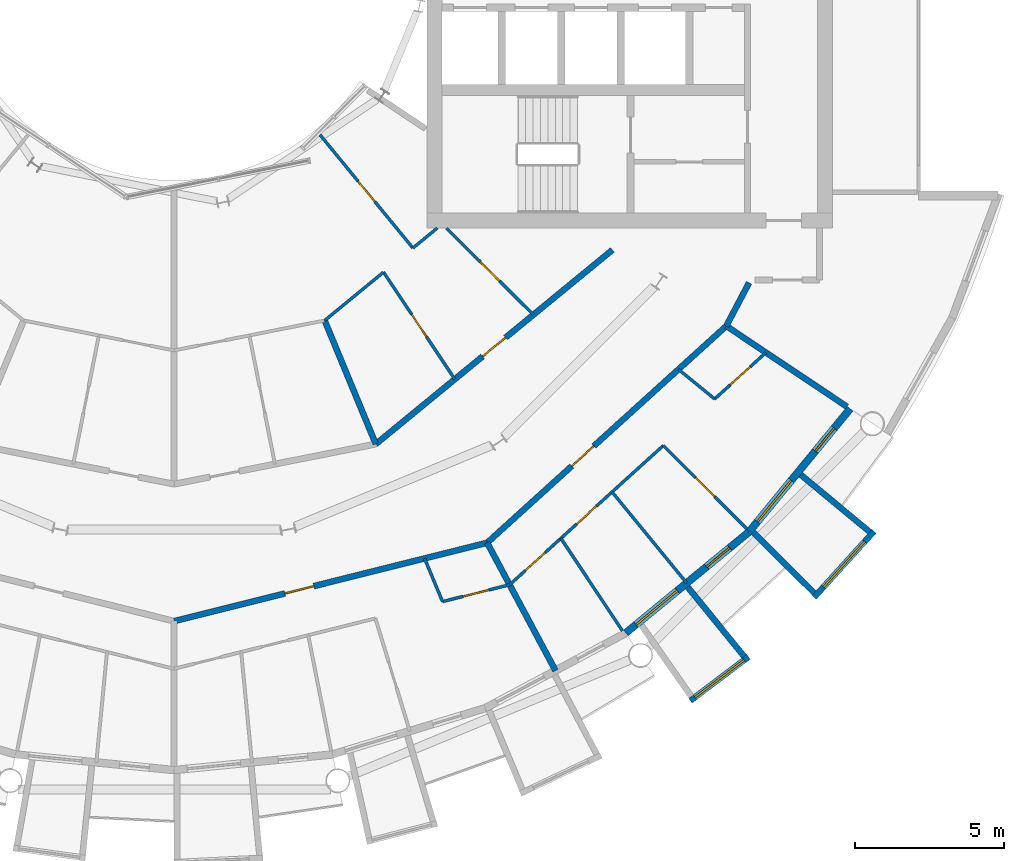
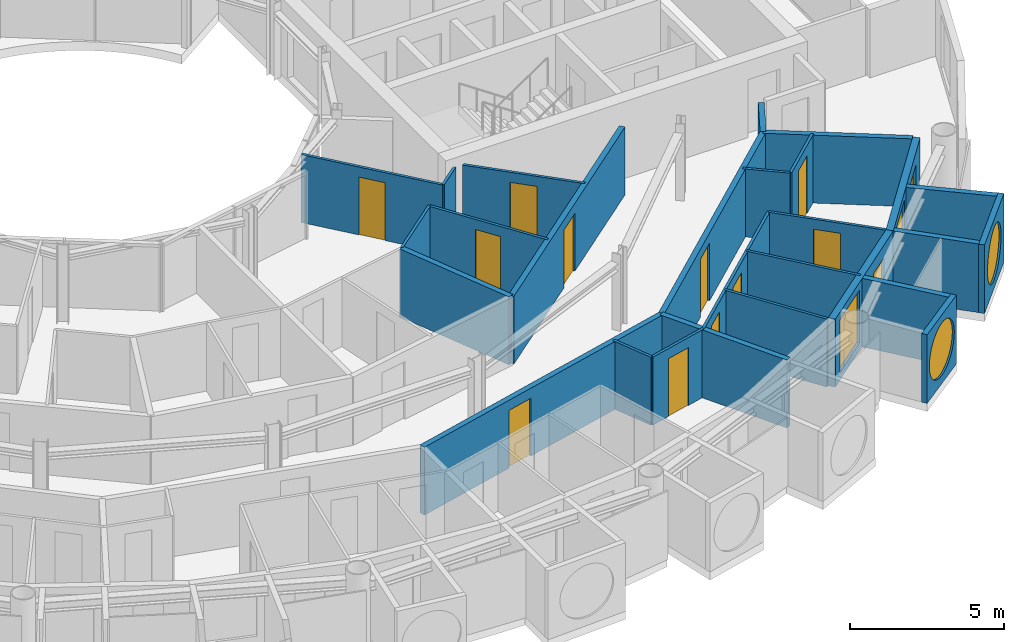
# One storey, part 17 of 27: 27 walls, 13 doors, 4 windows, 17 openings.
"""IFC4 building model written with IfcOpenShell, lengths in metres."""

from ifc_helpers import new_model, si_unit, direction, frame, frame_2d, origin, place, context, subcontext, project, spatial, rectangle, circle, extrude, material, layer, layer_set, type_object, element, fill, save


model = new_model("IFC4")

# Units and contexts
model_context = context("Model", 3, precision=1e-05, world=origin(), true_north=direction((0.0, 1.0)))
body_context = subcontext(model_context, "Body", "Model", "MODEL_VIEW")
ifc_project = project(units=[si_unit("LENGTHUNIT", "METRE"), si_unit("AREAUNIT", "SQUARE_METRE"), si_unit("VOLUMEUNIT", "CUBIC_METRE"), si_unit("PLANEANGLEUNIT", "RADIAN"), si_unit("MASSUNIT", "GRAM", prefix="KILO")], contexts=[model_context])

# Site, building, storey
site_placement = place(None, origin())
site = spatial("IfcSite", under=ifc_project, at=site_placement, CompositionType="ELEMENT")
building_placement = place(site_placement, origin())
building = spatial("IfcBuilding", under=site, at=building_placement, Name="Maasbend Ring Residences", CompositionType="ELEMENT")
storey_placement = place(building_placement, frame((0.0, 0.0, 164.64990234375)))
storey = spatial("IfcBuildingStorey", under=building, at=storey_placement, Name="L47", CompositionType="ELEMENT", Elevation=164.64990234375)

# Wall
ifc_material_1 = material(Name="Concrete C30/37", Category="concrete")
ifc_layer_1 = layer(ifc_material_1, 0.199951171875)
ifc_layer_set_1 = layer_set([ifc_layer_1], Name="Concrete C30/37")
wall_type_1 = type_object("IfcWallType", Name="CORRIDOR WALL 200 CONCRETE", PredefinedType="PARTITIONING", material=ifc_layer_set_1)
wall_1_placement = place(storey_placement, frame((18.5419921875, -12.388916015625, 0.0), z_axis=(0.0, 0.0, 1.0), x_axis=(0.465605550524, 0.884992356646, 0.0)))
element("IfcWall", 1, at=wall_1_placement, inside=storey, type_object=wall_type_1, Name="U-L47-w010", PredefinedType="PARTITIONING", context=body_context, shape_type="SweptSolid", body=[
    extrude(rectangle(XDim=1.642822265625, YDim=0.199951171875, at=frame_2d((0.8212890625, 0.0))), origin(), (0.0, 0.0, 1.0), 2.7001953125),
])

# Wall, opening, door
wall_2_placement = place(storey_placement, frame((0.0, -22.300048828125, 0.0), z_axis=(0.0, 0.0, 1.0), x_axis=(0.970023181991, 0.243012399685, 0.0)))
wall_2 = element("IfcWall", 2, at=wall_2_placement, inside=storey, type_object=wall_type_1, Name="U-L47-w015", PredefinedType="PARTITIONING", context=body_context, shape_type="SweptSolid", body=[
    extrude(rectangle(XDim=10.843017578125, YDim=0.199951171875, at=frame_2d((5.42138671875, 0.0))), origin(), (0.0, 0.0, 1.0), 2.7001953125),
])
opening_1_placement = place(wall_2_placement, frame((3.8349609375, 0.0, 0.0)))
opening_1 = element("IfcOpeningElement", 3, at=opening_1_placement, cuts=wall_2, Name="Opening D-4742", PredefinedType="OPENING", context=body_context, shape_type="SweptSolid", body=[
    extrude(rectangle(XDim=1.0, YDim=2.300048828125, at=frame_2d((0.5, 1.14990234375))), frame((0.0, 0.10986328125, 0.0), z_axis=(0.0, -1.0, 0.0), x_axis=(1.0, 0.0, 0.0)), (0.0, 0.0, 1.0), 0.219970703125),
])
ifc_material_2 = material(Name="Timber, fire-rated, painted", Category="wood")
door_type_1 = type_object("IfcDoorType", Name="FLAT ENTRANCE DOOR 1000 X 2300 FIRE-RATED", OperationType="NOTDEFINED", PredefinedType="DOOR", material=ifc_material_2)
door_1_placement = place(opening_1_placement, origin())
door_1 = element("IfcDoor", 4, at=door_1_placement, inside=storey, type_object=door_type_1, Name="D-4742", OperationType="SINGLE_SWING_LEFT", OverallHeight=2.300048828125, OverallWidth=1.0, PredefinedType="DOOR", context=body_context, shape_type="SweptSolid", body=[
    extrude(rectangle(XDim=1.0, YDim=2.300048828125, at=frame_2d((0.5, 1.14990234375))), frame((0.0, 0.02490234375, 0.0), z_axis=(0.0, -1.0, 0.0), x_axis=(1.0, 0.0, 0.0)), (0.0, 0.0, 1.0), 0.050048828125),
])
fill(opening_1, door_1)

wall_3_placement = place(storey_placement, frame((10.511962890625, -19.6669921875, 0.0), z_axis=(0.0, 0.0, 1.0), x_axis=(0.740947367223, 0.671563101283, 0.0)))
wall_3 = element("IfcWall", 5, at=wall_3_placement, inside=storey, type_object=wall_type_1, Name="U-L47-w016", PredefinedType="PARTITIONING", context=body_context, shape_type="SweptSolid", body=[
    extrude(rectangle(XDim=10.83740234375, YDim=0.199951171875, at=frame_2d((5.418701171875, 0.0))), origin(), (0.0, 0.0, 1.0), 2.7001953125),
])
opening_2_placement = place(wall_3_placement, frame((3.8349609375, 0.0, 0.0)))
opening_2 = element("IfcOpeningElement", 6, at=opening_2_placement, cuts=wall_3, Name="Opening D-4747", PredefinedType="OPENING", context=body_context, shape_type="SweptSolid", body=[
    extrude(rectangle(XDim=1.0, YDim=2.300048828125, at=frame_2d((0.5, 1.14990234375))), frame((0.0, 0.10986328125, 0.0), z_axis=(0.0, -1.0, 0.0), x_axis=(1.0, 0.0, 0.0)), (0.0, 0.0, 1.0), 0.219970703125),
])
door_2_placement = place(opening_2_placement, origin())
door_2 = element("IfcDoor", 7, at=door_2_placement, inside=storey, type_object=door_type_1, Name="D-4747", OperationType="SINGLE_SWING_LEFT", OverallHeight=2.300048828125, OverallWidth=1.0, PredefinedType="DOOR", context=body_context, shape_type="SweptSolid", body=[
    extrude(rectangle(XDim=1.0, YDim=2.300048828125, at=frame_2d((0.5, 1.14990234375))), frame((0.0, 0.02490234375, 0.0), z_axis=(0.0, -1.0, 0.0), x_axis=(1.0, 0.0, 0.0)), (0.0, 0.0, 1.0), 0.050048828125),
])
fill(opening_2, door_2)

wall_4_placement = place(storey_placement, frame((6.77294921875, -16.35302734375, 0.0), z_axis=(0.0, 0.0, 1.0), x_axis=(0.773034536097, 0.634363938131, 0.0)))
wall_4 = element("IfcWall", 8, at=wall_4_placement, inside=storey, type_object=wall_type_1, Name="U-L47-w020", PredefinedType="PARTITIONING", context=body_context, shape_type="SweptSolid", body=[
    extrude(rectangle(XDim=10.276611328125, YDim=0.199951171875, at=frame_2d((5.13818359375, 0.0))), origin(), (0.0, 0.0, 1.0), 2.7001953125),
])
opening_3_placement = place(wall_4_placement, frame((4.637939453125, 0.0, 0.0)))
opening_3 = element("IfcOpeningElement", 9, at=opening_3_placement, cuts=wall_4, Name="Opening D-4762", PredefinedType="OPENING", context=body_context, shape_type="SweptSolid", body=[
    extrude(rectangle(XDim=1.0, YDim=2.300048828125, at=frame_2d((0.5, 1.14990234375))), frame((0.0, 0.10986328125, 0.0), z_axis=(0.0, -1.0, 0.0), x_axis=(1.0, 0.0, 0.0)), (0.0, 0.0, 1.0), 0.219970703125),
])
door_3_placement = place(opening_3_placement, origin())
door_3 = element("IfcDoor", 10, at=door_3_placement, inside=storey, type_object=door_type_1, Name="D-4762", OperationType="SINGLE_SWING_RIGHT", OverallHeight=2.300048828125, OverallWidth=1.0, PredefinedType="DOOR", context=body_context, shape_type="SweptSolid", body=[
    extrude(rectangle(XDim=1.0, YDim=2.300048828125, at=frame_2d((0.5, 1.14990234375))), frame((0.0, 0.02490234375, 0.0), z_axis=(0.0, -1.0, 0.0), x_axis=(1.0, 0.0, 0.0)), (0.0, 0.0, 1.0), 0.050048828125),
])
fill(opening_3, door_3)

# Wall, opening, window
ifc_material_3 = material(Name="Pale anodised aluminium panel", Category="aluminium")
ifc_layer_2 = layer(ifc_material_3, 0.199951171875)
ifc_layer_set_2 = layer_set([ifc_layer_2], Name="EW-BOX")
wall_type_2 = type_object("IfcWallType", Name="EW-BOX", PredefinedType="SOLIDWALL", material=ifc_layer_set_2)
wall_5_placement = place(storey_placement, frame((17.3369140625, -24.971923828125, -0.02978515625), z_axis=(0.0, 0.0, 1.0), x_axis=(0.797887588059, 0.602806268067, 0.0)))
wall_5 = element("IfcWall", 11, at=wall_5_placement, inside=storey, type_object=wall_type_2, Name="Box front S17", PredefinedType="SOLIDWALL", context=body_context, shape_type="SweptSolid", body=[
    extrude(rectangle(XDim=2.446533203125, YDim=0.199951171875, at=frame_2d((1.22314453125, 0.0))), origin(), (0.0, 0.0, 1.0), 2.72998046875),
])
opening_4_placement = place(wall_5_placement, frame((0.182861328125, 0.0, 0.330078125)))
opening_4 = element("IfcOpeningElement", 12, at=opening_4_placement, cuts=wall_5, Name="Opening W-RD", PredefinedType="OPENING", context=body_context, shape_type="SweptSolid", body=[
    extrude(circle(Radius=1.0400390625, at=frame_2d((1.0400390625, 1.0400390625))), frame((0.0, 0.10986328125, 0.0), z_axis=(0.0, -1.0, 0.0), x_axis=(1.0, 0.0, 0.0)), (0.0, 0.0, 1.0), 0.219970703125),
])
ifc_material_4 = material(Name="Aluminium and clear glass", Category="aluminium")
window_type_1 = type_object("IfcWindowType", Name="W-RD", PartitioningType="SINGLE_PANEL", PredefinedType="WINDOW", material=ifc_material_4)
window_1_placement = place(opening_4_placement, origin())
window_1 = element("IfcWindow", 13, at=window_1_placement, inside=storey, type_object=window_type_1, Name="Round window S17", OverallHeight=2.080078125, OverallWidth=2.080078125, PartitioningType="SINGLE_PANEL", PredefinedType="WINDOW", context=body_context, shape_type="SweptSolid", body=[
    extrude(circle(Radius=1.0400390625, at=frame_2d((1.0400390625, 1.0400390625))), frame((0.0, 0.030029296875, 0.0), z_axis=(0.0, -1.0, 0.0), x_axis=(1.0, 0.0, 0.0)), (0.0, 0.0, 1.0), 0.06005859375),
])
fill(opening_4, window_1)

# Wall
wall_6_placement = place(storey_placement, frame((17.24609375, -21.155029296875, -0.02978515625), z_axis=(0.0, 0.0, 1.0), x_axis=(0.631741648902, -0.775179004516, 0.0)))
element("IfcWall", 14, at=wall_6_placement, inside=storey, type_object=wall_type_2, Name="Box side wall S17 right", PredefinedType="SOLIDWALL", context=body_context, shape_type="SweptSolid", body=[
    extrude(rectangle(XDim=3.005859375, YDim=0.199951171875, at=frame_2d((1.5029296875, 0.0))), origin(), (0.0, 0.0, 1.0), 2.72998046875),
])

# Wall, opening, window
wall_7_placement = place(storey_placement, frame((21.492919921875, -21.5, -0.02978515625), z_axis=(0.0, 0.0, 1.0), x_axis=(0.671506829416, 0.740998365753, 0.0)))
wall_7 = element("IfcWall", 15, at=wall_7_placement, inside=storey, type_object=wall_type_2, Name="Box front S19", PredefinedType="SOLIDWALL", context=body_context, shape_type="SweptSolid", body=[
    extrude(rectangle(XDim=2.9931640625, YDim=0.199951171875, at=frame_2d((1.49658203125, 0.0))), origin(), (0.0, 0.0, 1.0), 2.72998046875),
])
opening_5_placement = place(wall_7_placement, frame((0.45654296875, 0.0, 0.330078125)))
opening_5 = element("IfcOpeningElement", 16, at=opening_5_placement, cuts=wall_7, Name="Opening W-RD", PredefinedType="OPENING", context=body_context, shape_type="SweptSolid", body=[
    extrude(circle(Radius=1.0400390625, at=frame_2d((1.0400390625, 1.0400390625))), frame((0.0, 0.10986328125, 0.0), z_axis=(0.0, -1.0, 0.0), x_axis=(1.0, 0.0, 0.0)), (0.0, 0.0, 1.0), 0.219970703125),
])
window_2_placement = place(opening_5_placement, origin())
window_2 = element("IfcWindow", 17, at=window_2_placement, inside=storey, type_object=window_type_1, Name="Round window S19", OverallHeight=2.080078125, OverallWidth=2.080078125, PartitioningType="SINGLE_PANEL", PredefinedType="WINDOW", context=body_context, shape_type="SweptSolid", body=[
    extrude(circle(Radius=1.0400390625, at=frame_2d((1.0400390625, 1.0400390625))), frame((0.0, 0.030029296875, 0.0), z_axis=(0.0, -1.0, 0.0), x_axis=(1.0, 0.0, 0.0)), (0.0, 0.0, 1.0), 0.06005859375),
])
fill(opening_5, window_2)

# Walls
wall_8_placement = place(storey_placement, frame((19.449951171875, -19.322998046875, -0.02978515625), z_axis=(0.0, 0.0, 1.0), x_axis=(0.709727076896, -0.704476739375, 0.0)))
element("IfcWall", 18, at=wall_8_placement, inside=storey, type_object=wall_type_2, Name="Box side wall S19 left", PredefinedType="SOLIDWALL", context=body_context, shape_type="SweptSolid", body=[
    extrude(rectangle(XDim=2.883056640625, YDim=0.199951171875, at=frame_2d((1.44140625, 0.0))), origin(), (0.0, 0.0, 1.0), 2.72998046875),
])
wall_9_placement = place(storey_placement, frame((21.041015625, -17.384033203125, -0.02978515625), z_axis=(0.0, 0.0, 1.0), x_axis=(0.770784861449, -0.63709551667, 0.0)))
element("IfcWall", 19, at=wall_9_placement, inside=storey, type_object=wall_type_2, Name="Box side wall S19 right", PredefinedType="SOLIDWALL", context=body_context, shape_type="SweptSolid", body=[
    extrude(rectangle(XDim=3.005859375, YDim=0.199951171875, at=frame_2d((1.5029296875, 0.0))), origin(), (0.0, 0.0, 1.0), 2.72998046875),
])

# Wall, openings, door, window
ifc_material_5 = material(Name="Aluminium clad insulated panel", Category="aluminium")
ifc_layer_3 = layer(ifc_material_5, 0.25)
ifc_layer_set_3 = layer_set([ifc_layer_3], Name="EW-GL")
wall_type_3 = type_object("IfcWallType", Name="EW-GL", PredefinedType="SOLIDWALL", material=ifc_layer_set_3)
wall_10_placement = place(storey_placement, frame((15.1669921875, -22.698974609375, 0.0), z_axis=(0.0, 0.0, 1.0), x_axis=(0.773019449054, 0.634382322723, 0.0)))
wall_10 = element("IfcWall", 20, at=wall_10_placement, inside=storey, type_object=wall_type_3, Name="External wall S09", PredefinedType="SOLIDWALL", context=body_context, shape_type="SweptSolid", body=[
    extrude(rectangle(XDim=5.351806640625, YDim=0.25, at=frame_2d((2.67578125, 0.0))), origin(), (0.0, 0.0, 1.0), 2.7001953125),
])
opening_6_placement = place(wall_10_placement, frame((0.441162109375, 0.0, 0.300048828125)))
opening_6 = element("IfcOpeningElement", 21, at=opening_6_placement, cuts=wall_10, Name="Opening W-BX", PredefinedType="OPENING", context=body_context, shape_type="SweptSolid", body=[
    extrude(rectangle(XDim=1.800048828125, YDim=2.10009765625, at=frame_2d((0.89990234375, 1.050048828125))), frame((0.0, 0.135009765625, 0.0), z_axis=(0.0, -1.0, 0.0), x_axis=(1.0, 0.0, 0.0)), (0.0, 0.0, 1.0), 0.27001953125),
])
opening_7_placement = place(wall_10_placement, frame((3.510498046875, 0.0, 0.0)))
opening_7 = element("IfcOpeningElement", 22, at=opening_7_placement, cuts=wall_10, Name="Opening D-LG", PredefinedType="OPENING", context=body_context, shape_type="SweptSolid", body=[
    extrude(rectangle(XDim=1.0, YDim=2.199951171875, at=frame_2d((0.5, 1.10009765625))), frame((0.0, 0.135009765625, 0.0), z_axis=(0.0, -1.0, 0.0), x_axis=(1.0, 0.0, 0.0)), (0.0, 0.0, 1.0), 0.27001953125),
])
ifc_material_6 = material(Name="Aluminium and clear glass", Category="aluminium")
door_type_2 = type_object("IfcDoorType", Name="D-LG", OperationType="SINGLE_SWING_LEFT", PredefinedType="DOOR", material=ifc_material_6)
door_4_placement = place(opening_7_placement, origin())
door_4 = element("IfcDoor", 23, at=door_4_placement, inside=storey, type_object=door_type_2, Name="Loggia door S18", OperationType="SINGLE_SWING_LEFT", OverallHeight=2.199951171875, OverallWidth=1.0, PredefinedType="DOOR", context=body_context, shape_type="SweptSolid", body=[
    extrude(rectangle(XDim=1.0, YDim=2.199951171875, at=frame_2d((0.5, 1.10009765625))), frame((0.0, 0.02490234375, 0.0), z_axis=(0.0, -1.0, 0.0), x_axis=(1.0, 0.0, 0.0)), (0.0, 0.0, 1.0), 0.050048828125),
])
fill(opening_7, door_4)
ifc_material_7 = material(Name="Aluminium and clear glass", Category="aluminium")
window_type_2 = type_object("IfcWindowType", Name="W-BX", PartitioningType="DOUBLE_PANEL_VERTICAL", PredefinedType="WINDOW", material=ifc_material_7)
window_3_placement = place(opening_6_placement, origin())
window_3 = element("IfcWindow", 24, at=window_3_placement, inside=storey, type_object=window_type_2, Name="Window S17 room to box", OverallHeight=2.10009765625, OverallWidth=1.800048828125, PartitioningType="SINGLE_PANEL", PredefinedType="WINDOW", context=body_context, shape_type="SweptSolid", body=[
    extrude(rectangle(XDim=1.800048828125, YDim=2.10009765625, at=frame_2d((0.89990234375, 1.050048828125))), frame((0.0, 0.030029296875, 0.0), z_axis=(0.0, -1.0, 0.0), x_axis=(1.0, 0.0, 0.0)), (0.0, 0.0, 1.0), 0.06005859375),
])
fill(opening_6, window_3)

wall_11_placement = place(storey_placement, frame((19.303955078125, -19.303955078125, 0.0), z_axis=(0.0, 0.0, 1.0), x_axis=(0.634382322723, 0.773019449054, 0.0)))
wall_11 = element("IfcWall", 25, at=wall_11_placement, inside=storey, type_object=wall_type_3, Name="External wall S10", PredefinedType="SOLIDWALL", context=body_context, shape_type="SweptSolid", body=[
    extrude(rectangle(XDim=5.351806640625, YDim=0.25, at=frame_2d((2.67578125, 0.0))), origin(), (0.0, 0.0, 1.0), 2.7001953125),
])
opening_8_placement = place(wall_11_placement, frame((0.441162109375, 0.0, 0.300048828125)))
opening_8 = element("IfcOpeningElement", 26, at=opening_8_placement, cuts=wall_11, Name="Opening W-BX", PredefinedType="OPENING", context=body_context, shape_type="SweptSolid", body=[
    extrude(rectangle(XDim=1.800048828125, YDim=2.10009765625, at=frame_2d((0.89990234375, 1.050048828125))), frame((0.0, 0.135009765625, 0.0), z_axis=(0.0, -1.0, 0.0), x_axis=(1.0, 0.0, 0.0)), (0.0, 0.0, 1.0), 0.27001953125),
])
opening_9_placement = place(wall_11_placement, frame((3.510498046875, 0.0, 0.0)))
opening_9 = element("IfcOpeningElement", 27, at=opening_9_placement, cuts=wall_11, Name="Opening D-LG", PredefinedType="OPENING", context=body_context, shape_type="SweptSolid", body=[
    extrude(rectangle(XDim=1.0, YDim=2.199951171875, at=frame_2d((0.5, 1.10009765625))), frame((0.0, 0.135009765625, 0.0), z_axis=(0.0, -1.0, 0.0), x_axis=(1.0, 0.0, 0.0)), (0.0, 0.0, 1.0), 0.27001953125),
])
door_5_placement = place(opening_9_placement, origin())
door_5 = element("IfcDoor", 28, at=door_5_placement, inside=storey, type_object=door_type_2, Name="Loggia door S20", OperationType="SINGLE_SWING_LEFT", OverallHeight=2.199951171875, OverallWidth=1.0, PredefinedType="DOOR", context=body_context, shape_type="SweptSolid", body=[
    extrude(rectangle(XDim=1.0, YDim=2.199951171875, at=frame_2d((0.5, 1.10009765625))), frame((0.0, 0.02490234375, 0.0), z_axis=(0.0, -1.0, 0.0), x_axis=(1.0, 0.0, 0.0)), (0.0, 0.0, 1.0), 0.050048828125),
])
fill(opening_9, door_5)
window_4_placement = place(opening_8_placement, origin())
window_4 = element("IfcWindow", 29, at=window_4_placement, inside=storey, type_object=window_type_2, Name="Window S19 room to box", OverallHeight=2.10009765625, OverallWidth=1.800048828125, PartitioningType="SINGLE_PANEL", PredefinedType="WINDOW", context=body_context, shape_type="SweptSolid", body=[
    extrude(rectangle(XDim=1.800048828125, YDim=2.10009765625, at=frame_2d((0.89990234375, 1.050048828125))), frame((0.0, 0.030029296875, 0.0), z_axis=(0.0, -1.0, 0.0), x_axis=(1.0, 0.0, 0.0)), (0.0, 0.0, 1.0), 0.06005859375),
])
fill(opening_8, window_4)

# Wall, opening, door
ifc_material_8 = material(Name="Gypsum board on steel studs", Category="steel")
ifc_layer_4 = layer(ifc_material_8, 0.10009765625)
ifc_layer_set_4 = layer_set([ifc_layer_4], Name="PARTITION 100 GYPSUM")
wall_type_4 = type_object("IfcWallType", Name="PARTITION 100 GYPSUM", PredefinedType="PARTITIONING", material=ifc_layer_set_4)
wall_12_placement = place(storey_placement, frame((9.011962890625, -21.64306640625, 0.0), z_axis=(0.0, 0.0, 1.0), x_axis=(0.970025067561, 0.243004873001, 0.0)))
wall_12 = element("IfcWall", 30, at=wall_12_placement, inside=storey, type_object=wall_type_4, Name="U-L47-w006", PredefinedType="PARTITIONING", context=body_context, shape_type="SweptSolid", body=[
    extrude(rectangle(XDim=2.325927734375, YDim=0.10009765625, at=frame_2d((1.1630859375, 0.0))), origin(), (0.0, 0.0, 1.0), 2.7001953125),
])
opening_10_placement = place(wall_12_placement, frame((0.7099609375, 0.0, 0.0)))
opening_10 = element("IfcOpeningElement", 31, at=opening_10_placement, cuts=wall_12, Name="Opening D-4743", PredefinedType="OPENING", context=body_context, shape_type="SweptSolid", body=[
    extrude(rectangle(XDim=0.89990234375, YDim=2.300048828125, at=frame_2d((0.449951171875, 1.14990234375))), frame((0.0, 0.06005859375, 0.0), z_axis=(0.0, -1.0, 0.0), x_axis=(1.0, 0.0, 0.0)), (0.0, 0.0, 1.0), 0.1201171875),
])
ifc_material_9 = material(Name="Timber, painted", Category="wood")
door_type_3 = type_object("IfcDoorType", Name="INTERNAL DOOR 900 X 2300", OperationType="NOTDEFINED", PredefinedType="DOOR", material=ifc_material_9)
door_6_placement = place(opening_10_placement, origin())
door_6 = element("IfcDoor", 32, at=door_6_placement, inside=storey, type_object=door_type_3, Name="D-4743", OperationType="SINGLE_SWING_LEFT", OverallHeight=2.300048828125, OverallWidth=0.89990234375, PredefinedType="DOOR", context=body_context, shape_type="SweptSolid", body=[
    extrude(rectangle(XDim=0.89990234375, YDim=2.300048828125, at=frame_2d((0.449951171875, 1.14990234375))), frame((0.0, 0.02490234375, 0.0), z_axis=(0.0, -1.0, 0.0), x_axis=(1.0, 0.0, 0.0)), (0.0, 0.0, 1.0), 0.050048828125),
])
fill(opening_10, door_6)

# Wall, openings, doors
wall_13_placement = place(storey_placement, frame((11.26611328125, -21.077880859375, 0.0), z_axis=(0.0, 0.0, 1.0), x_axis=(0.74114118713, 0.671349194339, 0.0)))
wall_13 = element("IfcWall", 33, at=wall_13_placement, inside=storey, type_object=wall_type_4, Name="U-L47-w007", PredefinedType="PARTITIONING", context=body_context, shape_type="SweptSolid", body=[
    extrude(rectangle(XDim=6.96484375, YDim=0.10009765625, at=frame_2d((3.482421875, 0.0))), origin(), (0.0, 0.0, 1.0), 2.7001953125),
])
opening_11_placement = place(wall_13_placement, frame((3.033935546875, 0.0, 0.0)))
opening_11 = element("IfcOpeningElement", 34, at=opening_11_placement, cuts=wall_13, Name="Opening D-4750", PredefinedType="OPENING", context=body_context, shape_type="SweptSolid", body=[
    extrude(rectangle(XDim=0.89990234375, YDim=2.300048828125, at=frame_2d((0.449951171875, 1.14990234375))), frame((0.0, 0.06005859375, 0.0), z_axis=(0.0, -1.0, 0.0), x_axis=(1.0, 0.0, 0.0)), (0.0, 0.0, 1.0), 0.1201171875),
])
opening_12_placement = place(wall_13_placement, frame((0.7119140625, 0.0, 0.0)))
opening_12 = element("IfcOpeningElement", 35, at=opening_12_placement, cuts=wall_13, Name="Opening D-4751", PredefinedType="OPENING", context=body_context, shape_type="SweptSolid", body=[
    extrude(rectangle(XDim=0.89990234375, YDim=2.300048828125, at=frame_2d((0.449951171875, 1.14990234375))), frame((0.0, 0.06005859375, 0.0), z_axis=(0.0, -1.0, 0.0), x_axis=(1.0, 0.0, 0.0)), (0.0, 0.0, 1.0), 0.1201171875),
])
door_7_placement = place(opening_11_placement, origin())
door_7 = element("IfcDoor", 36, at=door_7_placement, inside=storey, type_object=door_type_3, Name="D-4750", OperationType="SINGLE_SWING_RIGHT", OverallHeight=2.300048828125, OverallWidth=0.89990234375, PredefinedType="DOOR", context=body_context, shape_type="SweptSolid", body=[
    extrude(rectangle(XDim=0.89990234375, YDim=2.300048828125, at=frame_2d((0.449951171875, 1.14990234375))), frame((0.0, 0.02490234375, 0.0), z_axis=(0.0, -1.0, 0.0), x_axis=(1.0, 0.0, 0.0)), (0.0, 0.0, 1.0), 0.050048828125),
])
fill(opening_11, door_7)
door_8_placement = place(opening_12_placement, origin())
door_8 = element("IfcDoor", 37, at=door_8_placement, inside=storey, type_object=door_type_3, Name="D-4751", OperationType="SINGLE_SWING_LEFT", OverallHeight=2.300048828125, OverallWidth=0.89990234375, PredefinedType="DOOR", context=body_context, shape_type="SweptSolid", body=[
    extrude(rectangle(XDim=0.89990234375, YDim=2.300048828125, at=frame_2d((0.449951171875, 1.14990234375))), frame((0.0, 0.02490234375, 0.0), z_axis=(0.0, -1.0, 0.0), x_axis=(1.0, 0.0, 0.0)), (0.0, 0.0, 1.0), 0.050048828125),
])
fill(opening_12, door_8)

# Wall, opening, door
wall_14_placement = place(storey_placement, frame((18.14697265625, -14.843994140625, 0.0), z_axis=(0.0, 0.0, 1.0), x_axis=(0.741080073381, 0.671416655169, 0.0)))
wall_14 = element("IfcWall", 38, at=wall_14_placement, inside=storey, type_object=wall_type_4, Name="U-L47-w008", PredefinedType="PARTITIONING", context=body_context, shape_type="SweptSolid", body=[
    extrude(rectangle(XDim=2.323486328125, YDim=0.10009765625, at=frame_2d((1.16162109375, 0.0))), origin(), (0.0, 0.0, 1.0), 2.7001953125),
])
opening_13_placement = place(wall_14_placement, frame((0.718017578125, 0.0, 0.0)))
opening_13 = element("IfcOpeningElement", 39, at=opening_13_placement, cuts=wall_14, Name="Opening D-4748", PredefinedType="OPENING", context=body_context, shape_type="SweptSolid", body=[
    extrude(rectangle(XDim=0.89990234375, YDim=2.300048828125, at=frame_2d((0.449951171875, 1.14990234375))), frame((0.0, 0.06005859375, 0.0), z_axis=(0.0, -1.0, 0.0), x_axis=(1.0, 0.0, 0.0)), (0.0, 0.0, 1.0), 0.1201171875),
])
door_9_placement = place(opening_13_placement, origin())
door_9 = element("IfcDoor", 40, at=door_9_placement, inside=storey, type_object=door_type_3, Name="D-4748", OperationType="SINGLE_SWING_RIGHT", OverallHeight=2.300048828125, OverallWidth=0.89990234375, PredefinedType="DOOR", context=body_context, shape_type="SweptSolid", body=[
    extrude(rectangle(XDim=0.89990234375, YDim=2.300048828125, at=frame_2d((0.449951171875, 1.14990234375))), frame((0.0, 0.02490234375, 0.0), z_axis=(0.0, -1.0, 0.0), x_axis=(1.0, 0.0, 0.0)), (0.0, 0.0, 1.0), 0.050048828125),
])
fill(opening_13, door_9)

# Walls
wall_15_placement = place(storey_placement, frame((5.054931640625, -12.2041015625, 0.0), z_axis=(0.0, 0.0, 1.0), x_axis=(0.772943675046, 0.634474645046, 0.0)))
element("IfcWall", 41, at=wall_15_placement, inside=storey, type_object=wall_type_4, Name="U-L47-w025", PredefinedType="PARTITIONING", context=body_context, shape_type="SweptSolid", body=[
    extrude(rectangle(XDim=2.556640625, YDim=0.10009765625, at=frame_2d((1.2783203125, 0.0))), origin(), (0.0, 0.0, 1.0), 2.7001953125),
])
wall_16_placement = place(storey_placement, frame((8.01611328125, -9.77294921875, 0.0), z_axis=(0.0, 0.0, 1.0), x_axis=(0.7731800648, 0.634186555673, 0.0)))
element("IfcWall", 42, at=wall_16_placement, inside=storey, type_object=wall_type_4, Name="U-L47-w026", PredefinedType="PARTITIONING", context=body_context, shape_type="SweptSolid", body=[
    extrude(rectangle(XDim=1.064453125, YDim=0.10009765625, at=frame_2d((0.5322265625, 0.0))), origin(), (0.0, 0.0, 1.0), 2.7001953125),
])

# Wall, opening, door
wall_17_placement = place(storey_placement, frame((4.89794921875, -5.968017578125, 0.0), z_axis=(0.0, 0.0, 1.0), x_axis=(0.634401778971, -0.773003481776, 0.0)))
wall_17 = element("IfcWall", 43, at=wall_17_placement, inside=storey, type_object=wall_type_4, Name="U-L47-w068", PredefinedType="PARTITIONING", context=body_context, shape_type="SweptSolid", body=[
    extrude(rectangle(XDim=4.919677734375, YDim=0.10009765625, at=frame_2d((2.4599609375, 0.0))), origin(), (0.0, 0.0, 1.0), 2.7001953125),
])
opening_14_placement = place(wall_17_placement, frame((2.010009765625, 0.0, 0.0)))
opening_14 = element("IfcOpeningElement", 44, at=opening_14_placement, cuts=wall_17, Name="Opening D-4765", PredefinedType="OPENING", context=body_context, shape_type="SweptSolid", body=[
    extrude(rectangle(XDim=0.89990234375, YDim=2.300048828125, at=frame_2d((0.449951171875, 1.14990234375))), frame((0.0, 0.06005859375, 0.0), z_axis=(0.0, -1.0, 0.0), x_axis=(1.0, 0.0, 0.0)), (0.0, 0.0, 1.0), 0.1201171875),
])
door_10_placement = place(opening_14_placement, origin())
door_10 = element("IfcDoor", 45, at=door_10_placement, inside=storey, type_object=door_type_3, Name="D-4765", OperationType="SINGLE_SWING_RIGHT", OverallHeight=2.300048828125, OverallWidth=0.89990234375, PredefinedType="DOOR", context=body_context, shape_type="SweptSolid", body=[
    extrude(rectangle(XDim=0.89990234375, YDim=2.300048828125, at=frame_2d((0.449951171875, 1.14990234375))), frame((0.0, 0.02490234375, 0.0), z_axis=(0.0, -1.0, 0.0), x_axis=(1.0, 0.0, 0.0)), (0.0, 0.0, 1.0), 0.050048828125),
])
fill(opening_14, door_10)

wall_18_placement = place(storey_placement, frame((7.032958984375, -10.5810546875, 0.0), z_axis=(0.0, 0.0, 1.0), x_axis=(0.553865036342, -0.832606462573, 0.0)))
wall_18 = element("IfcWall", 46, at=wall_18_placement, inside=storey, type_object=wall_type_4, Name="U-L47-w075", PredefinedType="PARTITIONING", context=body_context, shape_type="SweptSolid", body=[
    extrude(rectangle(XDim=4.31884765625, YDim=0.10009765625, at=frame_2d((2.159423828125, 0.0))), origin(), (0.0, 0.0, 1.0), 2.7001953125),
])
opening_15_placement = place(wall_18_placement, frame((1.708984375, 0.0, 0.0)))
opening_15 = element("IfcOpeningElement", 47, at=opening_15_placement, cuts=wall_18, Name="Opening D-4763", PredefinedType="OPENING", context=body_context, shape_type="SweptSolid", body=[
    extrude(rectangle(XDim=0.89990234375, YDim=2.300048828125, at=frame_2d((0.449951171875, 1.14990234375))), frame((0.0, 0.06005859375, 0.0), z_axis=(0.0, -1.0, 0.0), x_axis=(1.0, 0.0, 0.0)), (0.0, 0.0, 1.0), 0.1201171875),
])
door_11_placement = place(opening_15_placement, origin())
door_11 = element("IfcDoor", 48, at=door_11_placement, inside=storey, type_object=door_type_3, Name="D-4763", OperationType="SINGLE_SWING_RIGHT", OverallHeight=2.300048828125, OverallWidth=0.89990234375, PredefinedType="DOOR", context=body_context, shape_type="SweptSolid", body=[
    extrude(rectangle(XDim=0.89990234375, YDim=2.300048828125, at=frame_2d((0.449951171875, 1.14990234375))), frame((0.0, 0.02490234375, 0.0), z_axis=(0.0, -1.0, 0.0), x_axis=(1.0, 0.0, 0.0)), (0.0, 0.0, 1.0), 0.050048828125),
])
fill(opening_15, door_11)

wall_19_placement = place(storey_placement, frame((9.14404296875, -9.10400390625, 0.0), z_axis=(0.0, 0.0, 1.0), x_axis=(0.708793214553, -0.705416316088, 0.0)))
wall_19 = element("IfcWall", 49, at=wall_19_placement, inside=storey, type_object=wall_type_4, Name="U-L47-w077", PredefinedType="PARTITIONING", context=body_context, shape_type="SweptSolid", body=[
    extrude(rectangle(XDim=4.120849609375, YDim=0.10009765625, at=frame_2d((2.060546875, 0.0))), origin(), (0.0, 0.0, 1.0), 2.7001953125),
])
opening_16_placement = place(wall_19_placement, frame((1.611083984375, 0.0, 0.0)))
opening_16 = element("IfcOpeningElement", 50, at=opening_16_placement, cuts=wall_19, Name="Opening D-4764", PredefinedType="OPENING", context=body_context, shape_type="SweptSolid", body=[
    extrude(rectangle(XDim=0.89990234375, YDim=2.300048828125, at=frame_2d((0.449951171875, 1.14990234375))), frame((0.0, 0.06005859375, 0.0), z_axis=(0.0, -1.0, 0.0), x_axis=(1.0, 0.0, 0.0)), (0.0, 0.0, 1.0), 0.1201171875),
])
door_12_placement = place(opening_16_placement, origin())
door_12 = element("IfcDoor", 51, at=door_12_placement, inside=storey, type_object=door_type_3, Name="D-4764", OperationType="SINGLE_SWING_RIGHT", OverallHeight=2.300048828125, OverallWidth=0.89990234375, PredefinedType="DOOR", context=body_context, shape_type="SweptSolid", body=[
    extrude(rectangle(XDim=0.89990234375, YDim=2.300048828125, at=frame_2d((0.449951171875, 1.14990234375))), frame((0.0, 0.02490234375, 0.0), z_axis=(0.0, -1.0, 0.0), x_axis=(1.0, 0.0, 0.0)), (0.0, 0.0, 1.0), 0.050048828125),
])
fill(opening_16, door_12)

# Walls
wall_20_placement = place(storey_placement, frame((12.988037109375, -19.51806640625, 0.0), z_axis=(0.0, 0.0, 1.0), x_axis=(0.553823887887, -0.83263383381, 0.0)))
element("IfcWall", 52, at=wall_20_placement, inside=storey, type_object=wall_type_4, Name="U-L47-w082", PredefinedType="PARTITIONING", context=body_context, shape_type="SweptSolid", body=[
    extrude(rectangle(XDim=3.730224609375, YDim=0.10009765625, at=frame_2d((1.865234375, 0.0))), origin(), (0.0, 0.0, 1.0), 2.7001953125),
])
wall_21_placement = place(storey_placement, frame((14.7060546875, -17.9609375, 0.0), z_axis=(0.0, 0.0, 1.0), x_axis=(0.633590098448, -0.773668913133, 0.0)))
element("IfcWall", 53, at=wall_21_placement, inside=storey, type_object=wall_type_4, Name="U-L47-w083", PredefinedType="PARTITIONING", context=body_context, shape_type="SweptSolid", body=[
    extrude(rectangle(XDim=3.961669921875, YDim=0.10009765625, at=frame_2d((1.98095703125, 0.0))), origin(), (0.0, 0.0, 1.0), 2.7001953125),
])

# Wall, opening, door
wall_22_placement = place(storey_placement, frame((16.427001953125, -16.40087890625, 0.0), z_axis=(0.0, 0.0, 1.0), x_axis=(0.707722727509, -0.706490297858, 0.0)))
wall_22 = element("IfcWall", 54, at=wall_22_placement, inside=storey, type_object=wall_type_4, Name="U-L47-w085", PredefinedType="PARTITIONING", context=body_context, shape_type="SweptSolid", body=[
    extrude(rectangle(XDim=3.9619140625, YDim=0.10009765625, at=frame_2d((1.98095703125, 0.0))), origin(), (0.0, 0.0, 1.0), 2.7001953125),
])
opening_17_placement = place(wall_22_placement, frame((1.531005859375, 0.0, 0.0)))
opening_17 = element("IfcOpeningElement", 55, at=opening_17_placement, cuts=wall_22, Name="Opening D-4749", PredefinedType="OPENING", context=body_context, shape_type="SweptSolid", body=[
    extrude(rectangle(XDim=0.89990234375, YDim=2.300048828125, at=frame_2d((0.449951171875, 1.14990234375))), frame((0.0, 0.06005859375, 0.0), z_axis=(0.0, -1.0, 0.0), x_axis=(1.0, 0.0, 0.0)), (0.0, 0.0, 1.0), 0.1201171875),
])
door_13_placement = place(opening_17_placement, origin())
door_13 = element("IfcDoor", 56, at=door_13_placement, inside=storey, type_object=door_type_3, Name="D-4749", OperationType="SINGLE_SWING_RIGHT", OverallHeight=2.300048828125, OverallWidth=0.89990234375, PredefinedType="DOOR", context=body_context, shape_type="SweptSolid", body=[
    extrude(rectangle(XDim=0.89990234375, YDim=2.300048828125, at=frame_2d((0.449951171875, 1.14990234375))), frame((0.0, 0.02490234375, 0.0), z_axis=(0.0, -1.0, 0.0), x_axis=(1.0, 0.0, 0.0)), (0.0, 0.0, 1.0), 0.050048828125),
])
fill(opening_17, door_13)

# Walls
wall_23_placement = place(storey_placement, frame((16.93603515625, -13.844970703125, 0.0), z_axis=(0.0, 0.0, 1.0), x_axis=(0.774283039722, -0.632839453889, 0.0)))
element("IfcWall", 57, at=wall_23_placement, inside=storey, type_object=wall_type_4, Name="U-L47-w087", PredefinedType="PARTITIONING", context=body_context, shape_type="SweptSolid", body=[
    extrude(rectangle(XDim=1.569091796875, YDim=0.10009765625, at=frame_2d((0.78466796875, 0.0))), origin(), (0.0, 0.0, 1.0), 2.7001953125),
])
wall_24_placement = place(storey_placement, frame((8.409912109375, -20.193115234375, 0.0), z_axis=(0.0, 0.0, 1.0), x_axis=(0.384228756538, -0.923237923099, 0.0)))
element("IfcWall", 58, at=wall_24_placement, inside=storey, type_object=wall_type_4, Name="U-L47-w091", PredefinedType="PARTITIONING", context=body_context, shape_type="SweptSolid", body=[
    extrude(rectangle(XDim=1.5693359375, YDim=0.10009765625, at=frame_2d((0.78466796875, 0.0))), origin(), (0.0, 0.0, 1.0), 2.7001953125),
])
ifc_material_10 = material(Name="Concrete C30/37", Category="concrete")
ifc_layer_5 = layer(ifc_material_10, 0.199951171875)
ifc_layer_set_5 = layer_set([ifc_layer_5], Name="Concrete C30/37")
wall_type_5 = type_object("IfcWallType", Name="PARTY WALL 200 CONCRETE", PredefinedType="PARTITIONING", material=ifc_layer_set_5)
wall_25_placement = place(storey_placement, frame((5.054931640625, -12.2041015625, 0.0), z_axis=(0.0, 0.0, 1.0), x_axis=(0.38258387732, -0.923920763277, 0.0)))
element("IfcWall", 59, at=wall_25_placement, inside=storey, type_object=wall_type_5, Name="U-L47-w070", PredefinedType="PARTITIONING", context=body_context, shape_type="SweptSolid", body=[
    extrude(rectangle(XDim=4.490478515625, YDim=0.199951171875, at=frame_2d((2.2451171875, 0.0))), origin(), (0.0, 0.0, 1.0), 2.7001953125),
])
wall_26_placement = place(storey_placement, frame((10.511962890625, -19.6669921875, 0.0), z_axis=(0.0, 0.0, 1.0), x_axis=(0.471427642527, -0.881904744211, 0.0)))
element("IfcWall", 60, at=wall_26_placement, inside=storey, type_object=wall_type_5, Name="U-L47-w079", PredefinedType="PARTITIONING", context=body_context, shape_type="SweptSolid", body=[
    extrude(rectangle(XDim=4.874755859375, YDim=0.199951171875, at=frame_2d((2.4375, 0.0))), origin(), (0.0, 0.0, 1.0), 2.7001953125),
])
wall_27_placement = place(storey_placement, frame((18.5419921875, -12.388916015625, 0.0), z_axis=(0.0, 0.0, 1.0), x_axis=(0.831387096605, -0.55569370664, 0.0)))
element("IfcWall", 61, at=wall_27_placement, inside=storey, type_object=wall_type_5, Name="U-L47-w089", PredefinedType="PARTITIONING", context=body_context, shape_type="SweptSolid", body=[
    extrude(rectangle(XDim=4.875, YDim=0.199951171875, at=frame_2d((2.4375, 0.0))), origin(), (0.0, 0.0, 1.0), 2.7001953125),
])

save(model, "model.ifc")
